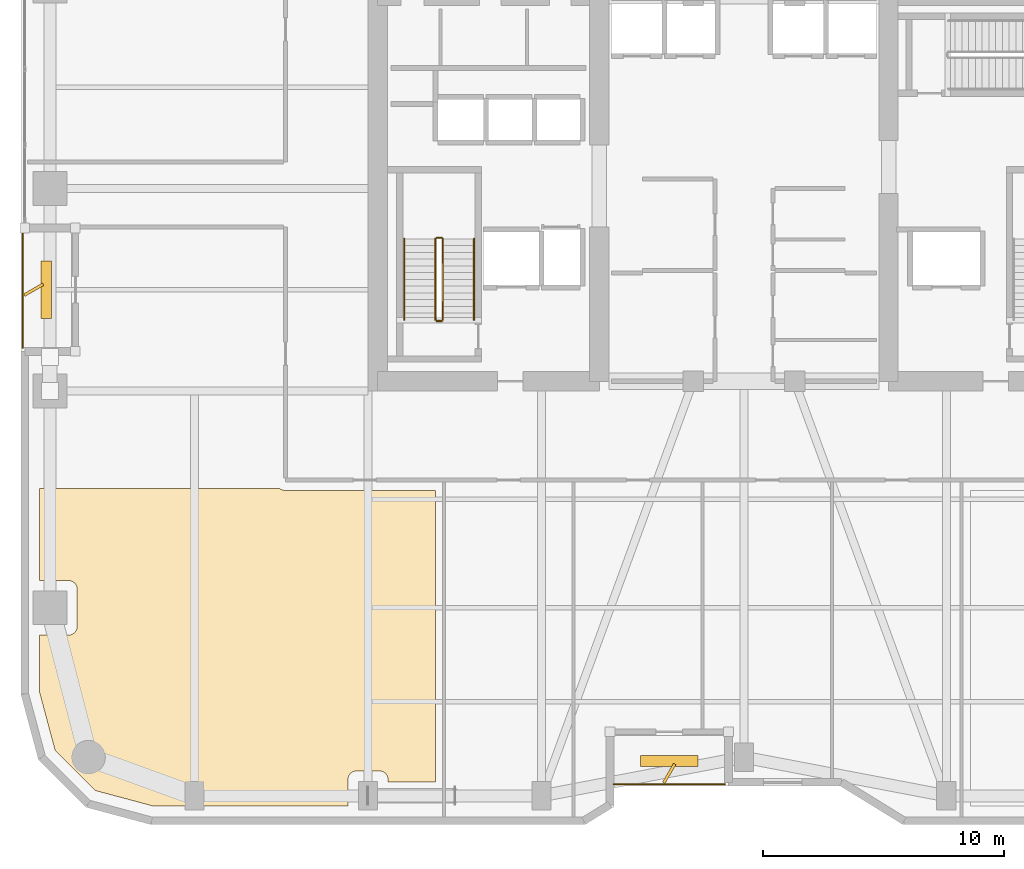
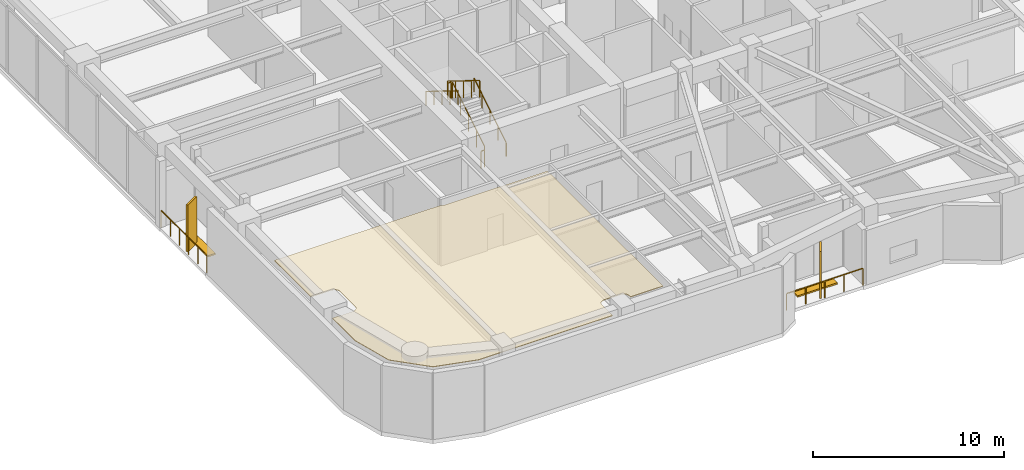
# One storey, part 18 of 20: 8 railings, 4 shading devices, 1 covering.
"""IFC4 building model written with IfcOpenShell, lengths in metres."""

from ifc_helpers import new_model, si_unit, direction, frame, origin, origin_2d, place, context, subcontext, project, spatial, polyline, rectangle, outline, extrude, material, layer, layer_set, type_object, element, save


model = new_model("IFC4")

# Units and contexts
model_context = context("Model", 3, precision=1e-05, world=origin(), true_north=direction((0.0, 1.0)))
body_context = subcontext(model_context, "Body", "Model", "MODEL_VIEW")
ifc_project = project(units=[si_unit("LENGTHUNIT", "METRE"), si_unit("AREAUNIT", "SQUARE_METRE"), si_unit("VOLUMEUNIT", "CUBIC_METRE"), si_unit("PLANEANGLEUNIT", "RADIAN"), si_unit("MASSUNIT", "GRAM", prefix="KILO")], contexts=[model_context])

# Site, building, storey
site_placement = place(None, origin())
site = spatial("IfcSite", under=ifc_project, at=site_placement, CompositionType="ELEMENT")
building_placement = place(site_placement, origin())
building = spatial("IfcBuilding", under=site, at=building_placement, Name="Kiyonajd Concourse Tower", CompositionType="ELEMENT")
storey_placement = place(building_placement, frame((0.0, 0.0, 125.39990234375)))
storey = spatial("IfcBuildingStorey", under=building, at=storey_placement, Name="L32", CompositionType="ELEMENT", Elevation=125.39990234375)

# Covering
ifc_material_1 = material(Name="Natural Oak Acoustic Timber Veneer", Category="wood")
ifc_layer = layer(ifc_material_1, 0.0400390625)
ifc_layer_set = layer_set([ifc_layer], Name="Natural Oak Acoustic Timber Veneer")
covering_type = type_object("IfcCoveringType", Name="CV-CLG-ACST", PredefinedType="CEILING", material=ifc_layer_set)
covering_placement = place(storey_placement, frame((0.0, 0.0, 4.06005859375)))
element("IfcCovering", 1, at=covering_placement, inside=storey, type_object=covering_type, Name="L32-41 Room Acoustic Ceiling", PredefinedType="CEILING", context=body_context, shape_type="SweptSolid", body=[
    extrude(outline(polyline([(19.4140625, 12.697998046875), (18.77001953125, 15.10107421875), (18.77001953125, 17.469970703125), (20.013916015625, 17.471923828125), (20.08203125, 17.485107421875), (20.14501953125, 17.510986328125), (20.201904296875, 17.549072265625), (20.2509765625, 17.597900390625), (20.2890625, 17.655029296875), (20.31494140625, 17.718017578125), (20.330078125, 17.820068359375), (20.327880859375, 19.4140625), (20.31494140625, 19.48193359375), (20.2890625, 19.544921875), (20.22705078125, 19.626953125), (20.14501953125, 19.68896484375), (20.048095703125, 19.722900390625), (19.97998046875, 19.72998046875), (18.77001953125, 19.72998046875), (18.77001953125, 23.550048828125), (28.72705078125, 23.550048828125), (28.781982421875, 23.51611328125), (28.844970703125, 23.489990234375), (28.97509765625, 23.469970703125), (35.199951171875, 23.469970703125), (35.199951171875, 11.3701171875), (33.22998046875, 11.3701171875), (33.222900390625, 11.548095703125), (33.18896484375, 11.64501953125), (33.15087890625, 11.701904296875), (33.10205078125, 11.7509765625), (33.044921875, 11.7890625), (32.98193359375, 11.81494140625), (32.8798828125, 11.830078125), (31.885986328125, 11.827880859375), (31.785888671875, 11.802978515625), (31.697998046875, 11.7509765625), (31.64892578125, 11.701904296875), (31.611083984375, 11.64501953125), (31.576904296875, 11.548095703125), (31.570068359375, 11.47998046875), (31.570068359375, 10.3701171875), (23.5009765625, 10.3701171875), (21.097900390625, 11.013916015625), (19.4140625, 12.697998046875)])), origin(), (0.0, 0.0, 1.0), 0.0400390625),
])

# Railings
ifc_material_2 = material(Name="Thermally Broken Anodised Aluminium", Category="aluminium")
railing_type_1 = type_object("IfcRailingType", Name="RL-GRD-LOG", PredefinedType="GUARDRAIL", material=ifc_material_2)
railing_1_placement = place(storey_placement, frame((42.60009765625, 11.280029296875, 0.0)))
element("IfcRailing", 2, at=railing_1_placement, inside=storey, type_object=railing_type_1, Name="L32 Engawa Loggia Perimeter Guard LOG-S", PredefinedType="GUARDRAIL", context=body_context, shape_type="SweptSolid", body=[
    extrude(rectangle(XDim=0.048095703125, YDim=0.048095703125, at=origin_2d()), frame((0.0, 0.0, 1.076171875), z_axis=(1.0, 0.0, 0.0), x_axis=(0.0, 1.0, 0.0)), (0.0, 0.0, 1.0), 4.599853515625),
    extrude(rectangle(XDim=0.0419921875, YDim=0.0419921875, at=origin_2d()), origin(), (0.0, 0.0, 1.0), 1.052001953125),
    extrude(rectangle(XDim=0.0419921875, YDim=0.0419921875, at=origin_2d()), frame((1.14990234375, 0.0, 0.0)), (0.0, 0.0, 1.0), 1.052001953125),
    extrude(rectangle(XDim=0.0419921875, YDim=0.0419921875, at=origin_2d()), frame((2.2998046875, 0.0, 0.0)), (0.0, 0.0, 1.0), 1.052001953125),
    extrude(rectangle(XDim=0.0419921875, YDim=0.0419921875, at=origin_2d()), frame((3.449951171875, 0.0, 0.0)), (0.0, 0.0, 1.0), 1.052001953125),
    extrude(rectangle(XDim=0.0419921875, YDim=0.0419921875, at=origin_2d()), frame((4.599853515625, 0.0, 0.0)), (0.0, 0.0, 1.0), 1.052001953125),
])
railing_2_placement = place(storey_placement, frame((18.080078125, 34.199951171875, 0.0)))
element("IfcRailing", 3, at=railing_2_placement, inside=storey, type_object=railing_type_1, Name="L32 Engawa Loggia Perimeter Guard LOG-W", PredefinedType="GUARDRAIL", context=body_context, shape_type="SweptSolid", body=[
    extrude(rectangle(XDim=0.048095703125, YDim=0.048095703125, at=origin_2d()), frame((0.0, 0.0, 1.076171875), z_axis=(0.0, -1.0, 0.0), x_axis=(1.0, 0.0, 0.0)), (0.0, 0.0, 1.0), 4.800048828125),
    extrude(rectangle(XDim=0.0419921875, YDim=0.0419921875, at=origin_2d()), origin(), (0.0, 0.0, 1.0), 1.052001953125),
    extrude(rectangle(XDim=0.0419921875, YDim=0.0419921875, at=origin_2d()), frame((0.0, -0.9599609375, 0.0)), (0.0, 0.0, 1.0), 1.052001953125),
    extrude(rectangle(XDim=0.0419921875, YDim=0.0419921875, at=origin_2d()), frame((0.0, -1.919921875, 0.0)), (0.0, 0.0, 1.0), 1.052001953125),
    extrude(rectangle(XDim=0.0419921875, YDim=0.0419921875, at=origin_2d()), frame((0.0, -2.880126953125, 0.0)), (0.0, 0.0, 1.0), 1.052001953125),
    extrude(rectangle(XDim=0.0419921875, YDim=0.0419921875, at=origin_2d()), frame((0.0, -3.840087890625, 0.0)), (0.0, 0.0, 1.0), 1.052001953125),
    extrude(rectangle(XDim=0.0419921875, YDim=0.0419921875, at=origin_2d()), frame((0.0, -4.800048828125, 0.0)), (0.0, 0.0, 1.0), 1.052001953125),
])
ifc_material_3 = material(Name="Steel ASTM A500 Grade C", Category="steel")
railing_type_2 = type_object("IfcRailingType", Name="RL-GRD-STR", PredefinedType="GUARDRAIL", material=ifc_material_3)
railing_3_placement = place(storey_placement, frame((35.5, 30.550048828125, 0.173095703125)))
element("IfcRailing", 4, at=railing_3_placement, inside=storey, type_object=railing_type_2, Name="L32 ST1 stair guard 1", PredefinedType="GUARDRAIL", context=body_context, shape_type="SweptSolid", body=[
    extrude(rectangle(XDim=0.048095703125, YDim=0.048095703125, at=origin_2d()), frame((0.0, 0.0, 1.076171875), z_axis=(0.0, 0.850606129759, 0.525803396734), x_axis=(-1.0, 0.0, 0.0)), (0.0, 0.0, 1.0), 3.949951171875),
    extrude(rectangle(XDim=0.0419921875, YDim=0.0419921875, at=origin_2d()), origin(), (0.0, 0.0, 1.0), 1.052001953125),
    extrude(rectangle(XDim=0.0419921875, YDim=0.0419921875, at=origin_2d()), frame((0.0, 0.83984375, 0.519287109375)), (0.0, 0.0, 1.0), 1.052001953125),
    extrude(rectangle(XDim=0.0419921875, YDim=0.0419921875, at=origin_2d()), frame((0.0, 1.679931640625, 1.03857421875)), (0.0, 0.0, 1.0), 1.052001953125),
    extrude(rectangle(XDim=0.0419921875, YDim=0.0419921875, at=origin_2d()), frame((0.0, 2.52001953125, 1.5576171875)), (0.0, 0.0, 1.0), 1.052001953125),
    extrude(rectangle(XDim=0.0419921875, YDim=0.0419921875, at=origin_2d()), frame((0.0, 3.35986328125, 2.076904296875)), (0.0, 0.0, 1.0), 1.052001953125),
])
railing_4_placement = place(storey_placement, frame((35.449951171875, 33.9599609375, 2.25)))
element("IfcRailing", 5, at=railing_4_placement, inside=storey, type_object=railing_type_2, Name="L32 ST1 stair guard 2", PredefinedType="GUARDRAIL", context=body_context, shape_type="SweptSolid", body=[
    extrude(rectangle(XDim=0.048095703125, YDim=0.048095703125, at=origin_2d()), frame((0.0, 0.0, 1.076171875), z_axis=(-1.0, 0.0, 0.0), x_axis=(0.0, -1.0, 0.0)), (0.0, 0.0, 1.0), 0.199951171875),
    extrude(rectangle(XDim=0.0419921875, YDim=0.0419921875, at=origin_2d()), origin(), (0.0, 0.0, 1.0), 1.052001953125),
    extrude(rectangle(XDim=0.0419921875, YDim=0.0419921875, at=origin_2d()), frame((-0.199951171875, 0.0, 0.0)), (0.0, 0.0, 1.0), 1.052001953125),
])
railing_5_placement = place(storey_placement, frame((35.199951171875, 33.909912109375, 2.423095703125)))
element("IfcRailing", 6, at=railing_5_placement, inside=storey, type_object=railing_type_2, Name="L32 ST1 stair guard 3", PredefinedType="GUARDRAIL", context=body_context, shape_type="SweptSolid", body=[
    extrude(rectangle(XDim=0.048095703125, YDim=0.048095703125, at=origin_2d()), frame((0.0, 0.0, 1.076171875), z_axis=(0.0, -0.850606129759, 0.525803396734), x_axis=(1.0, 0.0, 0.0)), (0.0, 0.0, 1.0), 3.949951171875),
    extrude(rectangle(XDim=0.0419921875, YDim=0.0419921875, at=origin_2d()), origin(), (0.0, 0.0, 1.0), 1.052001953125),
    extrude(rectangle(XDim=0.0419921875, YDim=0.0419921875, at=origin_2d()), frame((0.0, -0.83984375, 0.519287109375)), (0.0, 0.0, 1.0), 1.052001953125),
    extrude(rectangle(XDim=0.0419921875, YDim=0.0419921875, at=origin_2d()), frame((0.0, -1.679931640625, 1.03857421875)), (0.0, 0.0, 1.0), 1.052001953125),
    extrude(rectangle(XDim=0.0419921875, YDim=0.0419921875, at=origin_2d()), frame((0.0, -2.52001953125, 1.5576171875)), (0.0, 0.0, 1.0), 1.052001953125),
    extrude(rectangle(XDim=0.0419921875, YDim=0.0419921875, at=origin_2d()), frame((0.0, -3.35986328125, 2.076904296875)), (0.0, 0.0, 1.0), 1.052001953125),
])
railing_6_placement = place(storey_placement, frame((35.449951171875, 30.5, 0.0)))
element("IfcRailing", 7, at=railing_6_placement, inside=storey, type_object=railing_type_2, Name="L32 ST1 stair guard 4", PredefinedType="GUARDRAIL", context=body_context, shape_type="SweptSolid", body=[
    extrude(rectangle(XDim=0.048095703125, YDim=0.048095703125, at=origin_2d()), frame((0.0, 0.0, 1.076171875), z_axis=(-1.0, 0.0, 0.0), x_axis=(0.0, -1.0, 0.0)), (0.0, 0.0, 1.0), 0.199951171875),
    extrude(rectangle(XDim=0.0419921875, YDim=0.0419921875, at=origin_2d()), origin(), (0.0, 0.0, 1.0), 1.052001953125),
    extrude(rectangle(XDim=0.0419921875, YDim=0.0419921875, at=origin_2d()), frame((-0.199951171875, 0.0, 0.0)), (0.0, 0.0, 1.0), 1.052001953125),
])
ifc_material_4 = material(Name="Brushed Stainless Steel Cab Assembly", Category="steel")
railing_type_3 = type_object("IfcRailingType", Name="RL-HND-900", PredefinedType="HANDRAIL", material=ifc_material_4)
railing_7_placement = place(storey_placement, frame((36.800048828125, 30.550048828125, 0.173095703125)))
element("IfcRailing", 8, at=railing_7_placement, inside=storey, type_object=railing_type_3, Name="L32 ST1 stair handrail 1", PredefinedType="HANDRAIL", context=body_context, shape_type="SweptSolid", body=[
    extrude(rectangle(XDim=0.048095703125, YDim=0.048095703125, at=origin_2d()), frame((0.0, 0.0, 0.8759765625), z_axis=(0.0, 0.850606129759, 0.525803396734), x_axis=(-1.0, 0.0, 0.0)), (0.0, 0.0, 1.0), 3.949951171875),
    extrude(rectangle(XDim=0.0419921875, YDim=0.0419921875, at=origin_2d()), origin(), (0.0, 0.0, 1.0), 0.851806640625),
    extrude(rectangle(XDim=0.0419921875, YDim=0.0419921875, at=origin_2d()), frame((0.0, 0.83984375, 0.519287109375)), (0.0, 0.0, 1.0), 0.851806640625),
    extrude(rectangle(XDim=0.0419921875, YDim=0.0419921875, at=origin_2d()), frame((0.0, 1.679931640625, 1.03857421875)), (0.0, 0.0, 1.0), 0.851806640625),
    extrude(rectangle(XDim=0.0419921875, YDim=0.0419921875, at=origin_2d()), frame((0.0, 2.52001953125, 1.5576171875)), (0.0, 0.0, 1.0), 0.851806640625),
    extrude(rectangle(XDim=0.0419921875, YDim=0.0419921875, at=origin_2d()), frame((0.0, 3.35986328125, 2.076904296875)), (0.0, 0.0, 1.0), 0.851806640625),
])
railing_8_placement = place(storey_placement, frame((33.89990234375, 33.909912109375, 2.423095703125)))
element("IfcRailing", 9, at=railing_8_placement, inside=storey, type_object=railing_type_3, Name="L32 ST1 stair handrail 2", PredefinedType="HANDRAIL", context=body_context, shape_type="SweptSolid", body=[
    extrude(rectangle(XDim=0.048095703125, YDim=0.048095703125, at=origin_2d()), frame((0.0, 0.0, 0.8759765625), z_axis=(0.0, -0.850606129759, 0.525803396734), x_axis=(1.0, 0.0, 0.0)), (0.0, 0.0, 1.0), 3.949951171875),
    extrude(rectangle(XDim=0.0419921875, YDim=0.0419921875, at=origin_2d()), origin(), (0.0, 0.0, 1.0), 0.851806640625),
    extrude(rectangle(XDim=0.0419921875, YDim=0.0419921875, at=origin_2d()), frame((0.0, -0.83984375, 0.519287109375)), (0.0, 0.0, 1.0), 0.851806640625),
    extrude(rectangle(XDim=0.0419921875, YDim=0.0419921875, at=origin_2d()), frame((0.0, -1.679931640625, 1.03857421875)), (0.0, 0.0, 1.0), 0.851806640625),
    extrude(rectangle(XDim=0.0419921875, YDim=0.0419921875, at=origin_2d()), frame((0.0, -2.52001953125, 1.5576171875)), (0.0, 0.0, 1.0), 0.851806640625),
    extrude(rectangle(XDim=0.0419921875, YDim=0.0419921875, at=origin_2d()), frame((0.0, -3.35986328125, 2.076904296875)), (0.0, 0.0, 1.0), 0.851806640625),
])

# Shading devices
ifc_material_5 = material(Name="Precast concrete C50/60", Category="concrete")
shading_device_type_1 = type_object("IfcShadingDeviceType", Name="SH-FIN-900", PredefinedType="USERDEFINED", material=ifc_material_5)
for number, where, z_axis, x_axis, name in (
    (10, (44.89990234375, 11.72998046875, 0.0), (0.0, 0.0, 1.0), (0.5, 0.866025403784, 0.0), "L32 Angled Koshi Solar Fin LOG-S"),
    (11, (18.530029296875, 31.800048828125, 0.0), (0.0, 0.0, 1.0), (0.866025403784, 0.5, 0.0), "L32 Angled Koshi Solar Fin LOG-W"),
):
    element("IfcShadingDevice", number, at=place(storey_placement, frame(where, z_axis=z_axis, x_axis=x_axis)), inside=storey, type_object=shading_device_type_1, Name=name, ObjectType="FIN", PredefinedType="USERDEFINED", context=body_context, shape_type="SweptSolid", body=[
        extrude(rectangle(XDim=0.89990234375, YDim=0.1201171875, at=origin_2d()), origin(), (0.0, 0.0, 1.0), 3.0),
    ])
shading_device_type_2 = type_object("IfcShadingDeviceType", Name="SH-LVR-600", PredefinedType="JALOUSIE", material=ifc_material_2)
for number, where, z_axis, x_axis, name in (
    (12, (44.89990234375, 12.25, 0.0), (0.0, 0.0, 1.0), (1.0, 0.0, 0.0), "L32 Loggia Threshold Louver LOG-S"),
    (13, (19.050048828125, 31.800048828125, 0.0), (0.0, 0.0, 1.0), (0.0, 1.0, 0.0), "L32 Loggia Threshold Louver LOG-W"),
):
    element("IfcShadingDevice", number, at=place(storey_placement, frame(where, z_axis=z_axis, x_axis=x_axis)), inside=storey, type_object=shading_device_type_2, Name=name, PredefinedType="JALOUSIE", context=body_context, shape_type="SweptSolid", body=[
        extrude(rectangle(XDim=2.39990234375, YDim=0.449951171875, at=origin_2d()), origin(), (0.0, 0.0, 1.0), 0.10009765625),
    ])

save(model, "model.ifc")
